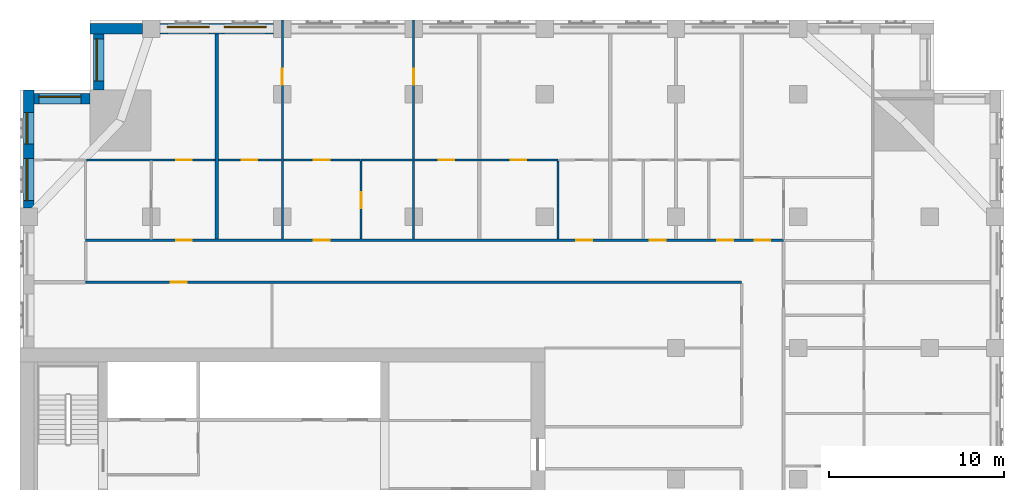
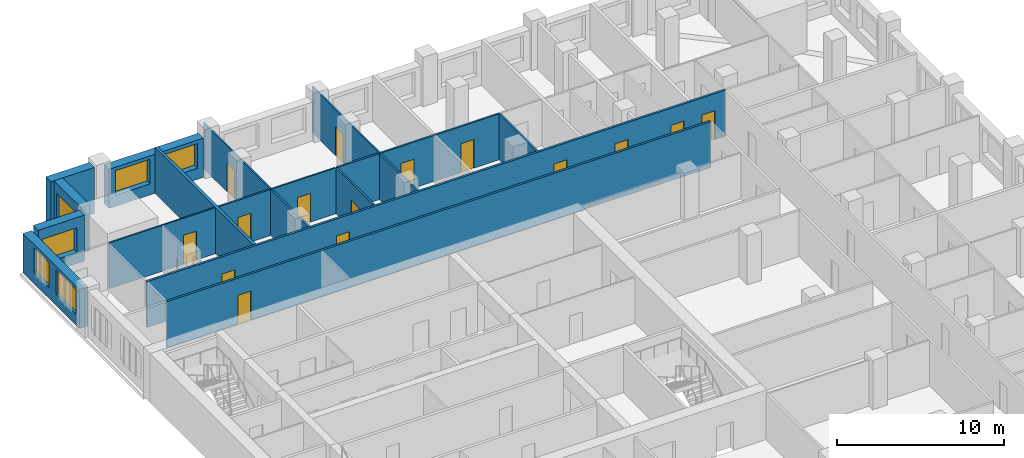
# One storey, part 9 of 14: 18 walls, 15 doors, 6 windows, 21 openings.
"""IFC4 building model written with IfcOpenShell, lengths in metres."""

from ifc_helpers import new_model, si_unit, direction, frame, frame_2d, origin, place, context, subcontext, project, spatial, rectangle, extrude, material, layer, layer_set, type_object, element, fill, save


model = new_model("IFC4")

# Units and contexts
model_context = context("Model", 3, precision=1e-05, world=origin(), true_north=direction((0.0, 1.0)))
body_context = subcontext(model_context, "Body", "Model", "MODEL_VIEW")
ifc_project = project(units=[si_unit("LENGTHUNIT", "METRE"), si_unit("AREAUNIT", "SQUARE_METRE"), si_unit("VOLUMEUNIT", "CUBIC_METRE"), si_unit("PLANEANGLEUNIT", "RADIAN"), si_unit("MASSUNIT", "GRAM", prefix="KILO")], contexts=[model_context])

# Site, building, storey
site_placement = place(None, origin())
site = spatial("IfcSite", under=ifc_project, at=site_placement, CompositionType="ELEMENT")
building_placement = place(site_placement, origin())
building = spatial("IfcBuilding", under=site, at=building_placement, Name="Tamorin Gate", CompositionType="ELEMENT")
storey_placement = place(building_placement, frame((0.0, 0.0, 151.800048828125)))
storey = spatial("IfcBuildingStorey", under=building, at=storey_placement, Name="L37", CompositionType="ELEMENT", Elevation=151.800048828125)

# Wall, openings, windows
ifc_material_1 = material(Name="Precast concrete C40/50", Category="concrete")
ifc_layer_1 = layer(ifc_material_1, 0.60009765625)
ifc_layer_set_1 = layer_set([ifc_layer_1], Name="Precast concrete C40/50")
wall_type_1 = type_object("IfcWallType", Name="Board-marked concrete facade panel 600", PredefinedType="SOLIDWALL", material=ifc_layer_set_1)
wall_1_placement = place(storey_placement, frame((44.5, 100.75, 0.0), z_axis=(0.0, 0.0, 1.0), x_axis=(-1.0, 0.0, 0.0)))
wall_1 = element("IfcWall", 1, at=wall_1_placement, inside=storey, type_object=wall_type_1, Name="Facade panel", PredefinedType="SOLIDWALL", context=body_context, shape_type="SweptSolid", body=[
    extrude(rectangle(XDim=6.5, YDim=0.60009765625, at=frame_2d((3.25, 0.0))), origin(), (0.0, 0.0, 1.0), 2.849853515625),
])
opening_1_placement = place(wall_1_placement, frame((3.675048828125, 0.0, 0.800048828125)))
opening_1 = element("IfcOpeningElement", 2, at=opening_1_placement, cuts=wall_1, Name="Opening WN1", PredefinedType="OPENING", context=body_context, shape_type="SweptSolid", body=[
    extrude(rectangle(XDim=2.39990234375, YDim=1.800048828125, at=frame_2d((1.199951171875, 0.89990234375))), frame((0.0, 0.31005859375, 0.0), z_axis=(0.0, -1.0, 0.0), x_axis=(1.0, 0.0, 0.0)), (0.0, 0.0, 1.0), 0.6201171875),
])
opening_2_placement = place(wall_1_placement, frame((0.425048828125, 0.0, 0.800048828125)))
opening_2 = element("IfcOpeningElement", 3, at=opening_2_placement, cuts=wall_1, Name="Opening WN1", PredefinedType="OPENING", context=body_context, shape_type="SweptSolid", body=[
    extrude(rectangle(XDim=2.39990234375, YDim=1.800048828125, at=frame_2d((1.199951171875, 0.89990234375))), frame((0.0, 0.31005859375, 0.0), z_axis=(0.0, -1.0, 0.0), x_axis=(1.0, 0.0, 0.0)), (0.0, 0.0, 1.0), 0.6201171875),
])
ifc_material_2 = material(Name="Clear glass in aluminium frame", Category="aluminium")
window_type_1 = type_object("IfcWindowType", Name="Deep-set window 2400x1800", PartitioningType="SINGLE_PANEL", PredefinedType="WINDOW", material=ifc_material_2)
window_1_placement = place(opening_1_placement, origin())
window_1 = element("IfcWindow", 4, at=window_1_placement, inside=storey, type_object=window_type_1, Name="Deep-set window", OverallHeight=1.800048828125, OverallWidth=2.39990234375, PartitioningType="SINGLE_PANEL", PredefinedType="WINDOW", context=body_context, shape_type="SweptSolid", body=[
    extrude(rectangle(XDim=2.39990234375, YDim=1.800048828125, at=frame_2d((1.199951171875, 0.89990234375))), frame((0.0, -0.070068359375, 0.0), z_axis=(0.0, -1.0, 0.0), x_axis=(1.0, 0.0, 0.0)), (0.0, 0.0, 1.0), 0.06005859375),
])
fill(opening_1, window_1)
window_2_placement = place(opening_2_placement, origin())
window_2 = element("IfcWindow", 5, at=window_2_placement, inside=storey, type_object=window_type_1, Name="Deep-set window", OverallHeight=1.800048828125, OverallWidth=2.39990234375, PartitioningType="SINGLE_PANEL", PredefinedType="WINDOW", context=body_context, shape_type="SweptSolid", body=[
    extrude(rectangle(XDim=2.39990234375, YDim=1.800048828125, at=frame_2d((1.199951171875, 0.89990234375))), frame((0.0, -0.070068359375, 0.0), z_axis=(0.0, -1.0, 0.0), x_axis=(1.0, 0.0, 0.0)), (0.0, 0.0, 1.0), 0.06005859375),
])
fill(opening_2, window_2)

# Wall
wall_2_placement = place(storey_placement, frame((37.0, 100.75, 0.0), z_axis=(0.0, 0.0, 1.0), x_axis=(-1.0, 0.0, 0.0)))
element("IfcWall", 6, at=wall_2_placement, inside=storey, type_object=wall_type_1, Name="Facade panel", PredefinedType="SOLIDWALL", context=body_context, shape_type="SweptSolid", body=[
    extrude(rectangle(XDim=3.0, YDim=0.60009765625, at=frame_2d((1.5, 0.0))), origin(), (0.0, 0.0, 1.0), 3.349853515625),
])

# Wall, opening, window
wall_3_placement = place(storey_placement, frame((34.5, 100.449951171875, 0.0), z_axis=(0.0, 0.0, 1.0), x_axis=(0.0, -1.0, 0.0)))
wall_3 = element("IfcWall", 7, at=wall_3_placement, inside=storey, type_object=wall_type_1, Name="Facade panel", PredefinedType="SOLIDWALL", context=body_context, shape_type="SweptSolid", body=[
    extrude(rectangle(XDim=3.199951171875, YDim=0.60009765625, at=frame_2d((1.60009765625, 0.0))), origin(), (0.0, 0.0, 1.0), 3.349853515625),
])
opening_3_placement = place(wall_3_placement, frame((0.27490234375, 0.0, 0.800048828125)))
opening_3 = element("IfcOpeningElement", 8, at=opening_3_placement, cuts=wall_3, Name="Opening WN1", PredefinedType="OPENING", context=body_context, shape_type="SweptSolid", body=[
    extrude(rectangle(XDim=2.39990234375, YDim=1.800048828125, at=frame_2d((1.199951171875, 0.89990234375))), frame((0.0, 0.31005859375, 0.0), z_axis=(0.0, -1.0, 0.0), x_axis=(1.0, 0.0, 0.0)), (0.0, 0.0, 1.0), 0.6201171875),
])
window_3_placement = place(opening_3_placement, origin())
window_3 = element("IfcWindow", 9, at=window_3_placement, inside=storey, type_object=window_type_1, Name="Deep-set window", OverallHeight=1.800048828125, OverallWidth=2.39990234375, PartitioningType="SINGLE_PANEL", PredefinedType="WINDOW", context=body_context, shape_type="SweptSolid", body=[
    extrude(rectangle(XDim=2.39990234375, YDim=1.800048828125, at=frame_2d((1.199951171875, 0.89990234375))), frame((0.0, -0.070068359375, 0.0), z_axis=(0.0, -1.0, 0.0), x_axis=(1.0, 0.0, 0.0)), (0.0, 0.0, 1.0), 0.06005859375),
])
fill(opening_3, window_3)

wall_4_placement = place(storey_placement, frame((34.0, 96.75, 0.0), z_axis=(0.0, 0.0, 1.0), x_axis=(-1.0, 0.0, 0.0)))
wall_4 = element("IfcWall", 10, at=wall_4_placement, inside=storey, type_object=wall_type_1, Name="Facade panel", PredefinedType="SOLIDWALL", context=body_context, shape_type="SweptSolid", body=[
    extrude(rectangle(XDim=3.199951171875, YDim=0.60009765625, at=frame_2d((1.60009765625, 0.0))), origin(), (0.0, 0.0, 1.0), 3.349853515625),
])
opening_4_placement = place(wall_4_placement, frame((0.52490234375, 0.0, 0.800048828125)))
opening_4 = element("IfcOpeningElement", 11, at=opening_4_placement, cuts=wall_4, Name="Opening WN1", PredefinedType="OPENING", context=body_context, shape_type="SweptSolid", body=[
    extrude(rectangle(XDim=2.39990234375, YDim=1.800048828125, at=frame_2d((1.199951171875, 0.89990234375))), frame((0.0, 0.31005859375, 0.0), z_axis=(0.0, -1.0, 0.0), x_axis=(1.0, 0.0, 0.0)), (0.0, 0.0, 1.0), 0.6201171875),
])
window_4_placement = place(opening_4_placement, origin())
window_4 = element("IfcWindow", 12, at=window_4_placement, inside=storey, type_object=window_type_1, Name="Deep-set window", OverallHeight=1.800048828125, OverallWidth=2.39990234375, PartitioningType="SINGLE_PANEL", PredefinedType="WINDOW", context=body_context, shape_type="SweptSolid", body=[
    extrude(rectangle(XDim=2.39990234375, YDim=1.800048828125, at=frame_2d((1.199951171875, 0.89990234375))), frame((0.0, -0.070068359375, 0.0), z_axis=(0.0, -1.0, 0.0), x_axis=(1.0, 0.0, 0.0)), (0.0, 0.0, 1.0), 0.06005859375),
])
fill(opening_4, window_4)

# Wall, openings, windows
wall_5_placement = place(storey_placement, frame((30.5, 97.25, 0.0), z_axis=(0.0, 0.0, 1.0), x_axis=(0.0, -1.0, 0.0)))
wall_5 = element("IfcWall", 13, at=wall_5_placement, inside=storey, type_object=wall_type_1, Name="Facade panel", PredefinedType="SOLIDWALL", context=body_context, shape_type="SweptSolid", body=[
    extrude(rectangle(XDim=6.75, YDim=0.60009765625, at=frame_2d((3.375, 0.0))), origin(), (0.0, 0.0, 1.0), 2.849853515625),
])
opening_5_placement = place(wall_5_placement, frame((3.925048828125, 0.0, 0.800048828125)))
opening_5 = element("IfcOpeningElement", 14, at=opening_5_placement, cuts=wall_5, Name="Opening WN1", PredefinedType="OPENING", context=body_context, shape_type="SweptSolid", body=[
    extrude(rectangle(XDim=2.39990234375, YDim=1.800048828125, at=frame_2d((1.199951171875, 0.89990234375))), frame((0.0, 0.31005859375, 0.0), z_axis=(0.0, -1.0, 0.0), x_axis=(1.0, 0.0, 0.0)), (0.0, 0.0, 1.0), 0.6201171875),
])
opening_6_placement = place(wall_5_placement, frame((1.300048828125, 0.0, 0.800048828125)))
opening_6 = element("IfcOpeningElement", 15, at=opening_6_placement, cuts=wall_5, Name="Opening WN2", PredefinedType="OPENING", context=body_context, shape_type="SweptSolid", body=[
    extrude(rectangle(XDim=1.800048828125, YDim=1.800048828125, at=frame_2d((0.89990234375, 0.89990234375))), frame((0.0, 0.31005859375, 0.0), z_axis=(0.0, -1.0, 0.0), x_axis=(1.0, 0.0, 0.0)), (0.0, 0.0, 1.0), 0.6201171875),
])
window_type_2 = type_object("IfcWindowType", Name="Deep-set window 1800x1800", PartitioningType="SINGLE_PANEL", PredefinedType="WINDOW", material=ifc_material_2)
window_5_placement = place(opening_6_placement, origin())
window_5 = element("IfcWindow", 16, at=window_5_placement, inside=storey, type_object=window_type_2, Name="Deep-set window", OverallHeight=1.800048828125, OverallWidth=1.800048828125, PartitioningType="SINGLE_PANEL", PredefinedType="WINDOW", context=body_context, shape_type="SweptSolid", body=[
    extrude(rectangle(XDim=1.800048828125, YDim=1.800048828125, at=frame_2d((0.89990234375, 0.89990234375))), frame((0.0, -0.070068359375, 0.0), z_axis=(0.0, -1.0, 0.0), x_axis=(1.0, 0.0, 0.0)), (0.0, 0.0, 1.0), 0.06005859375),
])
fill(opening_6, window_5)
window_6_placement = place(opening_5_placement, origin())
window_6 = element("IfcWindow", 17, at=window_6_placement, inside=storey, type_object=window_type_1, Name="Deep-set window", OverallHeight=1.800048828125, OverallWidth=2.39990234375, PartitioningType="SINGLE_PANEL", PredefinedType="WINDOW", context=body_context, shape_type="SweptSolid", body=[
    extrude(rectangle(XDim=2.39990234375, YDim=1.800048828125, at=frame_2d((1.199951171875, 0.89990234375))), frame((0.0, -0.070068359375, 0.0), z_axis=(0.0, -1.0, 0.0), x_axis=(1.0, 0.0, 0.0)), (0.0, 0.0, 1.0), 0.06005859375),
])
fill(opening_5, window_6)

# Wall, opening, door
ifc_material_3 = material(Name="Gypsum board partition")
ifc_layer_2 = layer(ifc_material_3, 0.14990234375)
ifc_layer_set_2 = layer_set([ifc_layer_2], Name="Corridor wall 150")
wall_type_2 = type_object("IfcWallType", Name="Corridor wall 150", PredefinedType="PARTITIONING", material=ifc_layer_set_2)
wall_6_placement = place(storey_placement, frame((33.75, 86.25, 0.0), z_axis=(0.0, 0.0, 1.0), x_axis=(1.0, 0.0, 0.0)))
wall_6 = element("IfcWall", 18, at=wall_6_placement, inside=storey, type_object=wall_type_2, Name="Corridor wall 150", PredefinedType="PARTITIONING", context=body_context, shape_type="SweptSolid", body=[
    extrude(rectangle(XDim=37.5, YDim=0.14990234375, at=frame_2d((18.75, 0.0))), origin(), (0.0, 0.0, 1.0), 3.349853515625),
])
opening_7_placement = place(wall_6_placement, frame((4.875, 0.0, 0.0)))
opening_7 = element("IfcOpeningElement", 19, at=opening_7_placement, cuts=wall_6, Name="Opening DS3073", PredefinedType="OPENING", context=body_context, shape_type="SweptSolid", body=[
    extrude(rectangle(XDim=0.89990234375, YDim=2.10009765625, at=frame_2d((0.449951171875, 1.050048828125))), frame((0.0, 0.0849609375, 0.0), z_axis=(0.0, -1.0, 0.0), x_axis=(1.0, 0.0, 0.0)), (0.0, 0.0, 1.0), 0.169921875),
])
ifc_material_4 = material(Name="Timber door leaf", Category="wood")
door_type_1 = type_object("IfcDoorType", Name="Door 900 x 2100 FD30S", OperationType="NOTDEFINED", PredefinedType="DOOR", material=ifc_material_4)
door_1_placement = place(opening_7_placement, origin())
door_1 = element("IfcDoor", 20, at=door_1_placement, inside=storey, type_object=door_type_1, Name="Door DS3073", OperationType="SINGLE_SWING_RIGHT", OverallHeight=2.10009765625, OverallWidth=0.89990234375, PredefinedType="DOOR", context=body_context, shape_type="SweptSolid", body=[
    extrude(rectangle(XDim=0.89990234375, YDim=2.10009765625, at=frame_2d((0.449951171875, 1.050048828125))), frame((0.0, 0.02490234375, 0.0), z_axis=(0.0, -1.0, 0.0), x_axis=(1.0, 0.0, 0.0)), (0.0, 0.0, 1.0), 0.050048828125),
])
fill(opening_7, door_1)

# Wall, openings, doors
wall_7_placement = place(storey_placement, frame((33.75, 88.64990234375, 0.0), z_axis=(0.0, 0.0, 1.0), x_axis=(1.0, 0.0, 0.0)))
wall_7 = element("IfcWall", 21, at=wall_7_placement, inside=storey, type_object=wall_type_2, Name="Corridor wall 150", PredefinedType="PARTITIONING", context=body_context, shape_type="SweptSolid", body=[
    extrude(rectangle(XDim=39.89990234375, YDim=0.14990234375, at=frame_2d((19.949951171875, 0.0))), origin(), (0.0, 0.0, 1.0), 3.349853515625),
])
opening_8_placement = place(wall_7_placement, frame((5.175048828125, 0.0, 0.0)))
opening_8 = element("IfcOpeningElement", 22, at=opening_8_placement, cuts=wall_7, Name="Opening DS3020", PredefinedType="OPENING", context=body_context, shape_type="SweptSolid", body=[
    extrude(rectangle(XDim=0.89990234375, YDim=2.10009765625, at=frame_2d((0.449951171875, 1.050048828125))), frame((0.0, 0.0849609375, 0.0), z_axis=(0.0, -1.0, 0.0), x_axis=(1.0, 0.0, 0.0)), (0.0, 0.0, 1.0), 0.169921875),
])
opening_9_placement = place(wall_7_placement, frame((13.050048828125, 0.0, 0.0)))
opening_9 = element("IfcOpeningElement", 23, at=opening_9_placement, cuts=wall_7, Name="Opening DS3023", PredefinedType="OPENING", context=body_context, shape_type="SweptSolid", body=[
    extrude(rectangle(XDim=0.89990234375, YDim=2.10009765625, at=frame_2d((0.449951171875, 1.050048828125))), frame((0.0, 0.0849609375, 0.0), z_axis=(0.0, -1.0, 0.0), x_axis=(1.0, 0.0, 0.0)), (0.0, 0.0, 1.0), 0.169921875),
])
opening_10_placement = place(wall_7_placement, frame((28.050048828125, 0.0, 0.0)))
opening_10 = element("IfcOpeningElement", 24, at=opening_10_placement, cuts=wall_7, Name="Opening DS3030", PredefinedType="OPENING", context=body_context, shape_type="SweptSolid", body=[
    extrude(rectangle(XDim=0.89990234375, YDim=2.10009765625, at=frame_2d((0.449951171875, 1.050048828125))), frame((0.0, 0.0849609375, 0.0), z_axis=(0.0, -1.0, 0.0), x_axis=(1.0, 0.0, 0.0)), (0.0, 0.0, 1.0), 0.169921875),
])
opening_11_placement = place(wall_7_placement, frame((32.262451171875, 0.0, 0.0)))
opening_11 = element("IfcOpeningElement", 25, at=opening_11_placement, cuts=wall_7, Name="Opening DS3033", PredefinedType="OPENING", context=body_context, shape_type="SweptSolid", body=[
    extrude(rectangle(XDim=0.89990234375, YDim=2.10009765625, at=frame_2d((0.449951171875, 1.050048828125))), frame((0.0, 0.0849609375, 0.0), z_axis=(0.0, -1.0, 0.0), x_axis=(1.0, 0.0, 0.0)), (0.0, 0.0, 1.0), 0.169921875),
])
opening_12_placement = place(wall_7_placement, frame((36.112548828125, 0.0, 0.0)))
opening_12 = element("IfcOpeningElement", 26, at=opening_12_placement, cuts=wall_7, Name="Opening DS3036", PredefinedType="OPENING", context=body_context, shape_type="SweptSolid", body=[
    extrude(rectangle(XDim=0.89990234375, YDim=2.10009765625, at=frame_2d((0.449951171875, 1.050048828125))), frame((0.0, 0.0849609375, 0.0), z_axis=(0.0, -1.0, 0.0), x_axis=(1.0, 0.0, 0.0)), (0.0, 0.0, 1.0), 0.169921875),
])
opening_13_placement = place(wall_7_placement, frame((38.25, 0.0, 0.0)))
opening_13 = element("IfcOpeningElement", 27, at=opening_13_placement, cuts=wall_7, Name="Opening DS3062", PredefinedType="OPENING", context=body_context, shape_type="SweptSolid", body=[
    extrude(rectangle(XDim=0.89990234375, YDim=2.10009765625, at=frame_2d((0.449951171875, 1.050048828125))), frame((0.0, 0.0849609375, 0.0), z_axis=(0.0, -1.0, 0.0), x_axis=(1.0, 0.0, 0.0)), (0.0, 0.0, 1.0), 0.169921875),
])
door_2_placement = place(opening_8_placement, origin())
door_2 = element("IfcDoor", 28, at=door_2_placement, inside=storey, type_object=door_type_1, Name="Door DS3020", OperationType="SINGLE_SWING_LEFT", OverallHeight=2.10009765625, OverallWidth=0.89990234375, PredefinedType="DOOR", context=body_context, shape_type="SweptSolid", body=[
    extrude(rectangle(XDim=0.89990234375, YDim=2.10009765625, at=frame_2d((0.449951171875, 1.050048828125))), frame((0.0, 0.02490234375, 0.0), z_axis=(0.0, -1.0, 0.0), x_axis=(1.0, 0.0, 0.0)), (0.0, 0.0, 1.0), 0.050048828125),
])
fill(opening_8, door_2)
door_3_placement = place(opening_9_placement, origin())
door_3 = element("IfcDoor", 29, at=door_3_placement, inside=storey, type_object=door_type_1, Name="Door DS3023", OperationType="SINGLE_SWING_LEFT", OverallHeight=2.10009765625, OverallWidth=0.89990234375, PredefinedType="DOOR", context=body_context, shape_type="SweptSolid", body=[
    extrude(rectangle(XDim=0.89990234375, YDim=2.10009765625, at=frame_2d((0.449951171875, 1.050048828125))), frame((0.0, 0.02490234375, 0.0), z_axis=(0.0, -1.0, 0.0), x_axis=(1.0, 0.0, 0.0)), (0.0, 0.0, 1.0), 0.050048828125),
])
fill(opening_9, door_3)
door_4_placement = place(opening_10_placement, origin())
door_4 = element("IfcDoor", 30, at=door_4_placement, inside=storey, type_object=door_type_1, Name="Door DS3030", OperationType="SINGLE_SWING_LEFT", OverallHeight=2.10009765625, OverallWidth=0.89990234375, PredefinedType="DOOR", context=body_context, shape_type="SweptSolid", body=[
    extrude(rectangle(XDim=0.89990234375, YDim=2.10009765625, at=frame_2d((0.449951171875, 1.050048828125))), frame((0.0, 0.02490234375, 0.0), z_axis=(0.0, -1.0, 0.0), x_axis=(1.0, 0.0, 0.0)), (0.0, 0.0, 1.0), 0.050048828125),
])
fill(opening_10, door_4)
door_5_placement = place(opening_11_placement, origin())
door_5 = element("IfcDoor", 31, at=door_5_placement, inside=storey, type_object=door_type_1, Name="Door DS3033", OperationType="SINGLE_SWING_LEFT", OverallHeight=2.10009765625, OverallWidth=0.89990234375, PredefinedType="DOOR", context=body_context, shape_type="SweptSolid", body=[
    extrude(rectangle(XDim=0.89990234375, YDim=2.10009765625, at=frame_2d((0.449951171875, 1.050048828125))), frame((0.0, 0.02490234375, 0.0), z_axis=(0.0, -1.0, 0.0), x_axis=(1.0, 0.0, 0.0)), (0.0, 0.0, 1.0), 0.050048828125),
])
fill(opening_11, door_5)
door_6_placement = place(opening_12_placement, origin())
door_6 = element("IfcDoor", 32, at=door_6_placement, inside=storey, type_object=door_type_1, Name="Door DS3036", OperationType="SINGLE_SWING_LEFT", OverallHeight=2.10009765625, OverallWidth=0.89990234375, PredefinedType="DOOR", context=body_context, shape_type="SweptSolid", body=[
    extrude(rectangle(XDim=0.89990234375, YDim=2.10009765625, at=frame_2d((0.449951171875, 1.050048828125))), frame((0.0, 0.02490234375, 0.0), z_axis=(0.0, -1.0, 0.0), x_axis=(1.0, 0.0, 0.0)), (0.0, 0.0, 1.0), 0.050048828125),
])
fill(opening_12, door_6)
door_7_placement = place(opening_13_placement, origin())
door_7 = element("IfcDoor", 33, at=door_7_placement, inside=storey, type_object=door_type_1, Name="Door DS3062", OperationType="SINGLE_SWING_RIGHT", OverallHeight=2.10009765625, OverallWidth=0.89990234375, PredefinedType="DOOR", context=body_context, shape_type="SweptSolid", body=[
    extrude(rectangle(XDim=0.89990234375, YDim=2.10009765625, at=frame_2d((0.449951171875, 1.050048828125))), frame((0.0, 0.02490234375, 0.0), z_axis=(0.0, -1.0, 0.0), x_axis=(1.0, 0.0, 0.0)), (0.0, 0.0, 1.0), 0.050048828125),
])
fill(opening_13, door_7)

# Wall
ifc_layer_3 = layer(ifc_material_3, 0.199951171875)
ifc_layer_set_3 = layer_set([ifc_layer_3], Name="Demising wall 200")
wall_type_3 = type_object("IfcWallType", Name="Demising wall 200", PredefinedType="PARTITIONING", material=ifc_layer_set_3)
wall_8_placement = place(storey_placement, frame((41.25, 88.72509765625, 0.0), z_axis=(0.0, 0.0, 1.0), x_axis=(0.0, 1.0, 0.0)))
element("IfcWall", 34, at=wall_8_placement, inside=storey, type_object=wall_type_3, Name="Demising wall 200", PredefinedType="PARTITIONING", context=body_context, shape_type="SweptSolid", body=[
    extrude(rectangle(XDim=11.71484375, YDim=0.199951171875, at=frame_2d((5.857421875, 0.0))), origin(), (0.0, 0.0, 1.0), 3.349853515625),
])

# Wall, opening, door
ifc_layer_4 = layer(ifc_material_3, 0.10009765625)
ifc_layer_set_4 = layer_set([ifc_layer_4], Name="Room partition 100")
wall_type_4 = type_object("IfcWallType", Name="Room partition 100", PredefinedType="PARTITIONING", material=ifc_layer_set_4)
wall_9_placement = place(storey_placement, frame((33.8125, 93.25, 0.0), z_axis=(0.0, 0.0, 1.0), x_axis=(1.0, 0.0, 0.0)))
wall_9 = element("IfcWall", 35, at=wall_9_placement, inside=storey, type_object=wall_type_4, Name="Room partition 100", PredefinedType="PARTITIONING", context=body_context, shape_type="SweptSolid", body=[
    extrude(rectangle(XDim=7.33740234375, YDim=0.10009765625, at=frame_2d((3.668701171875, 0.0))), origin(), (0.0, 0.0, 1.0), 3.349853515625),
])
opening_14_placement = place(wall_9_placement, frame((5.112548828125, 0.0, 0.0)))
opening_14 = element("IfcOpeningElement", 36, at=opening_14_placement, cuts=wall_9, Name="Opening DS3021", PredefinedType="OPENING", context=body_context, shape_type="SweptSolid", body=[
    extrude(rectangle(XDim=0.89990234375, YDim=2.10009765625, at=frame_2d((0.449951171875, 1.050048828125))), frame((0.0, 0.06005859375, 0.0), z_axis=(0.0, -1.0, 0.0), x_axis=(1.0, 0.0, 0.0)), (0.0, 0.0, 1.0), 0.1201171875),
])
door_type_2 = type_object("IfcDoorType", Name="Door 900 x 2100", OperationType="NOTDEFINED", PredefinedType="DOOR", material=ifc_material_4)
door_8_placement = place(opening_14_placement, origin())
door_8 = element("IfcDoor", 37, at=door_8_placement, inside=storey, type_object=door_type_2, Name="Door DS3021", OperationType="SINGLE_SWING_RIGHT", OverallHeight=2.10009765625, OverallWidth=0.89990234375, PredefinedType="DOOR", context=body_context, shape_type="SweptSolid", body=[
    extrude(rectangle(XDim=0.89990234375, YDim=2.10009765625, at=frame_2d((0.449951171875, 1.050048828125))), frame((0.0, 0.02490234375, 0.0), z_axis=(0.0, -1.0, 0.0), x_axis=(1.0, 0.0, 0.0)), (0.0, 0.0, 1.0), 0.050048828125),
])
fill(opening_14, door_8)

wall_10_placement = place(storey_placement, frame((45.0625, 93.25, 0.0), z_axis=(0.0, 0.0, 1.0), x_axis=(1.0, 0.0, 0.0)))
wall_10 = element("IfcWall", 38, at=wall_10_placement, inside=storey, type_object=wall_type_4, Name="Room partition 100", PredefinedType="PARTITIONING", context=body_context, shape_type="SweptSolid", body=[
    extrude(rectangle(XDim=4.375, YDim=0.10009765625, at=frame_2d((2.1875, 0.0))), origin(), (0.0, 0.0, 1.0), 3.349853515625),
])
opening_15_placement = place(wall_10_placement, frame((1.737548828125, 0.0, 0.0)))
opening_15 = element("IfcOpeningElement", 39, at=opening_15_placement, cuts=wall_10, Name="Opening DS3024", PredefinedType="OPENING", context=body_context, shape_type="SweptSolid", body=[
    extrude(rectangle(XDim=0.89990234375, YDim=2.10009765625, at=frame_2d((0.449951171875, 1.050048828125))), frame((0.0, 0.06005859375, 0.0), z_axis=(0.0, -1.0, 0.0), x_axis=(1.0, 0.0, 0.0)), (0.0, 0.0, 1.0), 0.1201171875),
])
door_9_placement = place(opening_15_placement, origin())
door_9 = element("IfcDoor", 40, at=door_9_placement, inside=storey, type_object=door_type_2, Name="Door DS3024", OperationType="SINGLE_SWING_RIGHT", OverallHeight=2.10009765625, OverallWidth=0.89990234375, PredefinedType="DOOR", context=body_context, shape_type="SweptSolid", body=[
    extrude(rectangle(XDim=0.89990234375, YDim=2.10009765625, at=frame_2d((0.449951171875, 1.050048828125))), frame((0.0, 0.02490234375, 0.0), z_axis=(0.0, -1.0, 0.0), x_axis=(1.0, 0.0, 0.0)), (0.0, 0.0, 1.0), 0.050048828125),
])
fill(opening_15, door_9)

wall_11_placement = place(storey_placement, frame((45.0, 93.3125, 0.0), z_axis=(0.0, 0.0, 1.0), x_axis=(0.0, 1.0, 0.0)))
wall_11 = element("IfcWall", 41, at=wall_11_placement, inside=storey, type_object=wall_type_4, Name="Room partition 100", PredefinedType="PARTITIONING", context=body_context, shape_type="SweptSolid", body=[
    extrude(rectangle(XDim=7.9375, YDim=0.10009765625, at=frame_2d((3.96875, 0.0))), origin(), (0.0, 0.0, 1.0), 3.349853515625),
])
opening_16_placement = place(wall_11_placement, frame((4.237548828125, 0.0, 0.0)))
opening_16 = element("IfcOpeningElement", 42, at=opening_16_placement, cuts=wall_11, Name="Opening DS3027", PredefinedType="OPENING", context=body_context, shape_type="SweptSolid", body=[
    extrude(rectangle(XDim=0.89990234375, YDim=2.10009765625, at=frame_2d((0.449951171875, 1.050048828125))), frame((0.0, 0.06005859375, 0.0), z_axis=(0.0, -1.0, 0.0), x_axis=(1.0, 0.0, 0.0)), (0.0, 0.0, 1.0), 0.1201171875),
])
door_10_placement = place(opening_16_placement, origin())
door_10 = element("IfcDoor", 43, at=door_10_placement, inside=storey, type_object=door_type_2, Name="Door DS3027", OperationType="SINGLE_SWING_RIGHT", OverallHeight=2.10009765625, OverallWidth=0.89990234375, PredefinedType="DOOR", context=body_context, shape_type="SweptSolid", body=[
    extrude(rectangle(XDim=0.89990234375, YDim=2.10009765625, at=frame_2d((0.449951171875, 1.050048828125))), frame((0.0, 0.02490234375, 0.0), z_axis=(0.0, -1.0, 0.0), x_axis=(1.0, 0.0, 0.0)), (0.0, 0.0, 1.0), 0.050048828125),
])
fill(opening_16, door_10)

wall_12_placement = place(storey_placement, frame((52.5, 93.3125, 0.0), z_axis=(0.0, 0.0, 1.0), x_axis=(0.0, 1.0, 0.0)))
wall_12 = element("IfcWall", 44, at=wall_12_placement, inside=storey, type_object=wall_type_4, Name="Room partition 100", PredefinedType="PARTITIONING", context=body_context, shape_type="SweptSolid", body=[
    extrude(rectangle(XDim=7.9375, YDim=0.10009765625, at=frame_2d((3.96875, 0.0))), origin(), (0.0, 0.0, 1.0), 3.349853515625),
])
opening_17_placement = place(wall_12_placement, frame((4.237548828125, 0.0, 0.0)))
opening_17 = element("IfcOpeningElement", 45, at=opening_17_placement, cuts=wall_12, Name="Opening DS3028", PredefinedType="OPENING", context=body_context, shape_type="SweptSolid", body=[
    extrude(rectangle(XDim=0.89990234375, YDim=2.10009765625, at=frame_2d((0.449951171875, 1.050048828125))), frame((0.0, 0.06005859375, 0.0), z_axis=(0.0, -1.0, 0.0), x_axis=(1.0, 0.0, 0.0)), (0.0, 0.0, 1.0), 0.1201171875),
])
door_11_placement = place(opening_17_placement, origin())
door_11 = element("IfcDoor", 46, at=door_11_placement, inside=storey, type_object=door_type_2, Name="Door DS3028", OperationType="SINGLE_SWING_RIGHT", OverallHeight=2.10009765625, OverallWidth=0.89990234375, PredefinedType="DOOR", context=body_context, shape_type="SweptSolid", body=[
    extrude(rectangle(XDim=0.89990234375, YDim=2.10009765625, at=frame_2d((0.449951171875, 1.050048828125))), frame((0.0, 0.02490234375, 0.0), z_axis=(0.0, -1.0, 0.0), x_axis=(1.0, 0.0, 0.0)), (0.0, 0.0, 1.0), 0.050048828125),
])
fill(opening_17, door_11)

ifc_layer_5 = layer(ifc_material_3, 0.125)
ifc_layer_set_5 = layer_set([ifc_layer_5], Name="Wet wall 125")
wall_type_5 = type_object("IfcWallType", Name="Wet wall 125", PredefinedType="PARTITIONING", material=ifc_layer_set_5)
wall_13_placement = place(storey_placement, frame((41.35009765625, 93.25, 0.0), z_axis=(0.0, 0.0, 1.0), x_axis=(1.0, 0.0, 0.0)))
wall_13 = element("IfcWall", 47, at=wall_13_placement, inside=storey, type_object=wall_type_5, Name="Wet wall 125", PredefinedType="PARTITIONING", context=body_context, shape_type="SweptSolid", body=[
    extrude(rectangle(XDim=3.64990234375, YDim=0.125, at=frame_2d((1.824951171875, 0.0))), origin(), (0.0, 0.0, 1.0), 3.349853515625),
])
opening_18_placement = place(wall_13_placement, frame((1.324951171875, 0.0, 0.0)))
opening_18 = element("IfcOpeningElement", 48, at=opening_18_placement, cuts=wall_13, Name="Opening DS3022", PredefinedType="OPENING", context=body_context, shape_type="SweptSolid", body=[
    extrude(rectangle(XDim=0.89990234375, YDim=2.10009765625, at=frame_2d((0.449951171875, 1.050048828125))), frame((0.0, 0.072509765625, 0.0), z_axis=(0.0, -1.0, 0.0), x_axis=(1.0, 0.0, 0.0)), (0.0, 0.0, 1.0), 0.14501953125),
])
door_12_placement = place(opening_18_placement, origin())
door_12 = element("IfcDoor", 49, at=door_12_placement, inside=storey, type_object=door_type_2, Name="Door DS3022", OperationType="SINGLE_SWING_RIGHT", OverallHeight=2.10009765625, OverallWidth=0.89990234375, PredefinedType="DOOR", context=body_context, shape_type="SweptSolid", body=[
    extrude(rectangle(XDim=0.89990234375, YDim=2.10009765625, at=frame_2d((0.449951171875, 1.050048828125))), frame((0.0, 0.02490234375, 0.0), z_axis=(0.0, -1.0, 0.0), x_axis=(1.0, 0.0, 0.0)), (0.0, 0.0, 1.0), 0.050048828125),
])
fill(opening_18, door_12)

# Wall, openings, doors
wall_14_placement = place(storey_placement, frame((49.5, 93.25, 0.0), z_axis=(0.0, 0.0, 1.0), x_axis=(1.0, 0.0, 0.0)))
wall_14 = element("IfcWall", 50, at=wall_14_placement, inside=storey, type_object=wall_type_5, Name="Wet wall 125", PredefinedType="PARTITIONING", context=body_context, shape_type="SweptSolid", body=[
    extrude(rectangle(XDim=11.25, YDim=0.125, at=frame_2d((5.625, 0.0))), origin(), (0.0, 0.0, 1.0), 3.349853515625),
])
opening_19_placement = place(wall_14_placement, frame((4.425048828125, 0.0, 0.0)))
opening_19 = element("IfcOpeningElement", 51, at=opening_19_placement, cuts=wall_14, Name="Opening DS3026", PredefinedType="OPENING", context=body_context, shape_type="SweptSolid", body=[
    extrude(rectangle(XDim=0.89990234375, YDim=2.10009765625, at=frame_2d((0.449951171875, 1.050048828125))), frame((0.0, 0.072509765625, 0.0), z_axis=(0.0, -1.0, 0.0), x_axis=(1.0, 0.0, 0.0)), (0.0, 0.0, 1.0), 0.14501953125),
])
opening_20_placement = place(wall_14_placement, frame((8.550048828125, 0.0, 0.0)))
opening_20 = element("IfcOpeningElement", 52, at=opening_20_placement, cuts=wall_14, Name="Opening DS3029", PredefinedType="OPENING", context=body_context, shape_type="SweptSolid", body=[
    extrude(rectangle(XDim=0.89990234375, YDim=2.10009765625, at=frame_2d((0.449951171875, 1.050048828125))), frame((0.0, 0.072509765625, 0.0), z_axis=(0.0, -1.0, 0.0), x_axis=(1.0, 0.0, 0.0)), (0.0, 0.0, 1.0), 0.14501953125),
])
door_13_placement = place(opening_19_placement, origin())
door_13 = element("IfcDoor", 53, at=door_13_placement, inside=storey, type_object=door_type_2, Name="Door DS3026", OperationType="SINGLE_SWING_RIGHT", OverallHeight=2.10009765625, OverallWidth=0.89990234375, PredefinedType="DOOR", context=body_context, shape_type="SweptSolid", body=[
    extrude(rectangle(XDim=0.89990234375, YDim=2.10009765625, at=frame_2d((0.449951171875, 1.050048828125))), frame((0.0, 0.02490234375, 0.0), z_axis=(0.0, -1.0, 0.0), x_axis=(1.0, 0.0, 0.0)), (0.0, 0.0, 1.0), 0.050048828125),
])
fill(opening_19, door_13)
door_14_placement = place(opening_20_placement, origin())
door_14 = element("IfcDoor", 54, at=door_14_placement, inside=storey, type_object=door_type_2, Name="Door DS3029", OperationType="SINGLE_SWING_RIGHT", OverallHeight=2.10009765625, OverallWidth=0.89990234375, PredefinedType="DOOR", context=body_context, shape_type="SweptSolid", body=[
    extrude(rectangle(XDim=0.89990234375, YDim=2.10009765625, at=frame_2d((0.449951171875, 1.050048828125))), frame((0.0, 0.02490234375, 0.0), z_axis=(0.0, -1.0, 0.0), x_axis=(1.0, 0.0, 0.0)), (0.0, 0.0, 1.0), 0.050048828125),
])
fill(opening_20, door_14)

# Wall
wall_15_placement = place(storey_placement, frame((45.0, 88.72509765625, 0.0), z_axis=(0.0, 0.0, 1.0), x_axis=(0.0, 1.0, 0.0)))
element("IfcWall", 55, at=wall_15_placement, inside=storey, type_object=wall_type_5, Name="Wet wall 125", PredefinedType="PARTITIONING", context=body_context, shape_type="SweptSolid", body=[
    extrude(rectangle(XDim=4.46240234375, YDim=0.125, at=frame_2d((2.231201171875, 0.0))), origin(), (0.0, 0.0, 1.0), 3.349853515625),
])

# Wall, opening, door
wall_16_placement = place(storey_placement, frame((49.5, 88.72509765625, 0.0), z_axis=(0.0, 0.0, 1.0), x_axis=(0.0, 1.0, 0.0)))
wall_16 = element("IfcWall", 56, at=wall_16_placement, inside=storey, type_object=wall_type_5, Name="Wet wall 125", PredefinedType="PARTITIONING", context=body_context, shape_type="SweptSolid", body=[
    extrude(rectangle(XDim=4.46240234375, YDim=0.125, at=frame_2d((2.231201171875, 0.0))), origin(), (0.0, 0.0, 1.0), 3.349853515625),
])
opening_21_placement = place(wall_16_placement, frame((1.77490234375, 0.0, 0.0)))
opening_21 = element("IfcOpeningElement", 57, at=opening_21_placement, cuts=wall_16, Name="Opening DS3025", PredefinedType="OPENING", context=body_context, shape_type="SweptSolid", body=[
    extrude(rectangle(XDim=0.89990234375, YDim=2.10009765625, at=frame_2d((0.449951171875, 1.050048828125))), frame((0.0, 0.072509765625, 0.0), z_axis=(0.0, -1.0, 0.0), x_axis=(1.0, 0.0, 0.0)), (0.0, 0.0, 1.0), 0.14501953125),
])
door_15_placement = place(opening_21_placement, origin())
door_15 = element("IfcDoor", 58, at=door_15_placement, inside=storey, type_object=door_type_2, Name="Door DS3025", OperationType="SINGLE_SWING_LEFT", OverallHeight=2.10009765625, OverallWidth=0.89990234375, PredefinedType="DOOR", context=body_context, shape_type="SweptSolid", body=[
    extrude(rectangle(XDim=0.89990234375, YDim=2.10009765625, at=frame_2d((0.449951171875, 1.050048828125))), frame((0.0, 0.02490234375, 0.0), z_axis=(0.0, -1.0, 0.0), x_axis=(1.0, 0.0, 0.0)), (0.0, 0.0, 1.0), 0.050048828125),
])
fill(opening_21, door_15)

# Walls
for number, where, z_axis, x_axis, name in (
    (59, (52.5, 88.72509765625, 0.0), (0.0, 0.0, 1.0), (0.0, 1.0, 0.0), "Wet wall 125"),
    (60, (60.75, 88.72509765625, 0.0), (0.0, 0.0, 1.0), (0.0, 1.0, 0.0), "Wet wall 125"),
):
    element("IfcWall", number, at=place(storey_placement, frame(where, z_axis=z_axis, x_axis=x_axis)), inside=storey, type_object=wall_type_5, Name=name, PredefinedType="PARTITIONING", context=body_context, shape_type="SweptSolid", body=[
        extrude(rectangle(XDim=4.46240234375, YDim=0.125, at=frame_2d((2.231201171875, 0.0))), origin(), (0.0, 0.0, 1.0), 3.349853515625),
    ])

save(model, "model.ifc")
